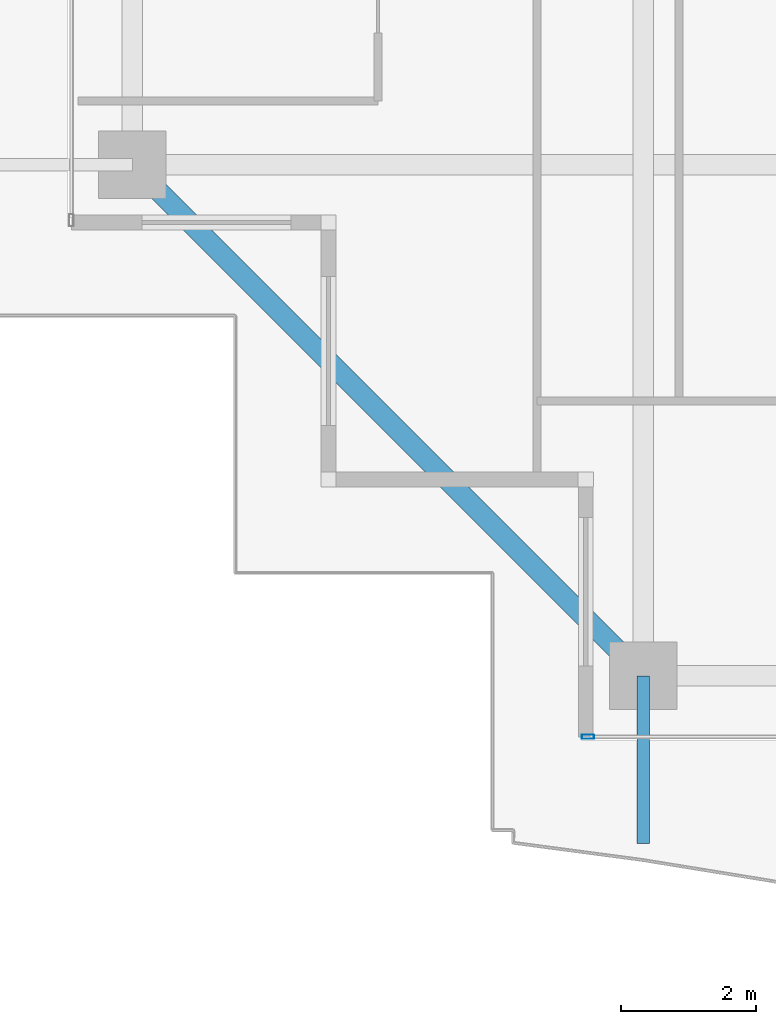
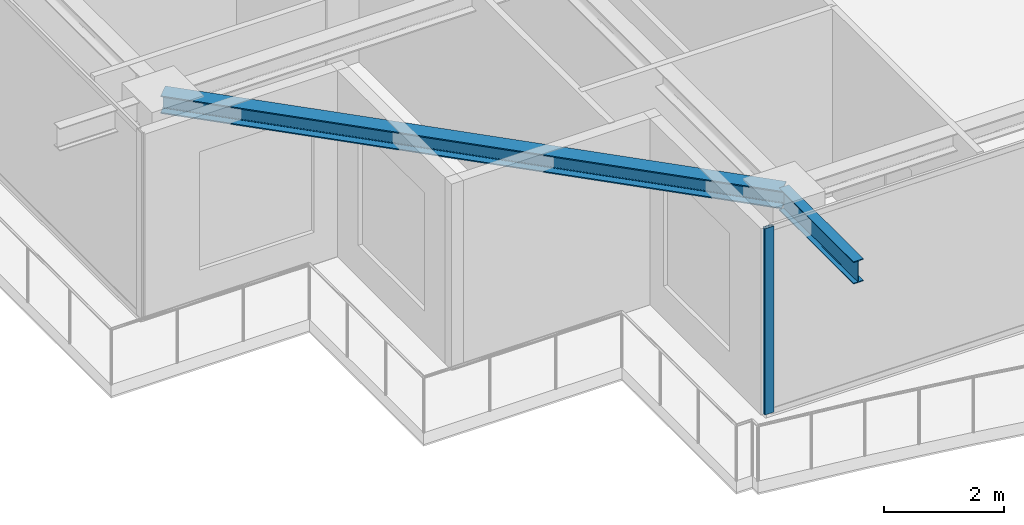
# One storey, part 2 of 42: 2 beams, 1 member, 1 element without a shape of its own.
"""IFC4 building model written with IfcOpenShell, lengths in metres."""

from ifc_helpers import new_model, si_unit, direction, frame, origin, origin_2d, place, context, subcontext, project, spatial, hollow_rectangle, i_section, extrude, source, transform, mapped, material, layer, layer_set, material_profile, profile_set, type_object, element, aggregate, save


model = new_model("IFC4")

# Units and contexts
model_context = context("Model", 3, precision=1e-05, world=origin(), true_north=direction((0.0, 1.0)))
body_context = subcontext(model_context, "Body", "Model", "MODEL_VIEW")
ifc_project = project(units=[si_unit("LENGTHUNIT", "METRE"), si_unit("AREAUNIT", "SQUARE_METRE"), si_unit("VOLUMEUNIT", "CUBIC_METRE"), si_unit("PLANEANGLEUNIT", "RADIAN"), si_unit("MASSUNIT", "GRAM", prefix="KILO")], contexts=[model_context])

# Site, building, storey
site_placement = place(None, origin())
site = spatial("IfcSite", under=ifc_project, at=site_placement, CompositionType="ELEMENT")
building_placement = place(site_placement, origin())
building = spatial("IfcBuilding", under=site, at=building_placement, Name="Serunith Strait Residences", CompositionType="ELEMENT")
storey_placement = place(building_placement, frame((0.0, 0.0, 297.5)))
storey = spatial("IfcBuildingStorey", under=building, at=storey_placement, Name="L74", CompositionType="ELEMENT", Elevation=297.5)

# Beams
ifc_material_1 = material(Name="Steel S355J2", Category="steel")
ifc_material_profile_1 = material_profile(ifc_material_1, i_section(OverallWidth=0.300048828125, OverallDepth=0.360107421875, WebThickness=0.012451171875, FlangeThickness=0.0224609375, FilletRadius=0.027099609375, at=origin_2d()), Name="HEB 360")
ifc_profile_set_1 = profile_set([ifc_material_profile_1], Name="Steel S355J2")
beam_type_1 = type_object("IfcBeamType", Name="BM-HEB360", PredefinedType="BEAM", material=ifc_profile_set_1)
shared_shape_1 = source(origin(), body_context, "Body", "SweptSolid", [
    extrude(i_section(OverallWidth=0.300048828125, OverallDepth=0.360107421875, WebThickness=0.012451171875, FlangeThickness=0.0224609375, FilletRadius=0.027099609375, at=origin_2d()), origin(), (0.0, 0.0, 1.0), 10.67724609375),
])
beam_1_placement = place(storey_placement, frame((10.10009765625, 10.85009765625, 3.576904296875), z_axis=(0.707095348302, -0.707118213887, 0.0), x_axis=(0.707118213887, 0.707095348302, 0.0)))
element("IfcBeam", 1, at=beam_1_placement, inside=storey, type_object=beam_type_1, Name="L74 Perimeter Ring Beam 16", PredefinedType="BEAM", context=body_context, shape_type="MappedRepresentation", body=[
    mapped(shared_shape_1, transform((0.0, 0.0, 0.0), scale=1.0)),
])
ifc_material_profile_2 = material_profile(ifc_material_1, i_section(OverallWidth=0.18994140625, OverallDepth=0.449951171875, WebThickness=0.009521484375, FlangeThickness=0.0146484375, FilletRadius=0.02099609375, at=origin_2d()), Name="IPE 450")
ifc_profile_set_2 = profile_set([ifc_material_profile_2], Name="Steel S355J2")
beam_type_2 = type_object("IfcBeamType", Name="BM-IPE450", PredefinedType="JOIST", material=ifc_profile_set_2)
shared_shape_2 = source(origin(), body_context, "Body", "SweptSolid", [
    extrude(i_section(OverallWidth=0.18994140625, OverallDepth=0.449951171875, WebThickness=0.009521484375, FlangeThickness=0.0146484375, FilletRadius=0.02099609375, at=origin_2d()), origin(), (0.0, 0.0, 1.0), 2.474609375),
])
beam_2_placement = place(storey_placement, frame((17.64990234375, 3.300048828125, 3.531982421875), z_axis=(0.0, -1.0, 0.0), x_axis=(1.0, 0.0, 0.0)))
element("IfcBeam", 2, at=beam_2_placement, inside=storey, type_object=beam_type_2, Name="L75 Cantilevered Balcony Rib TC-S1", PredefinedType="JOIST", context=body_context, shape_type="MappedRepresentation", body=[
    mapped(shared_shape_2, transform((0.0, 0.0, 0.0), scale=1.0)),
])

# Curtain wall, member
ifc_material_2 = material(Name="Brushed Stainless-Silver Aluminium", Category="aluminium")
ifc_layer = layer(ifc_material_2, 0.199951171875, Name="Brushed Stainless-Silver Aluminium")
ifc_layer_set = layer_set([ifc_layer], Name="Brushed Stainless-Silver Aluminium")
curtain_wall_type = type_object("IfcCurtainWallType", Name="CW-SYS5", PredefinedType="NOTDEFINED", material=ifc_layer_set)
curtain_wall_placement = place(storey_placement, origin())
curtain_wall = element("IfcCurtainWall", 3, at=curtain_wall_placement, inside=storey, type_object=curtain_wall_type, Name="L74 S Unitised Fritted Curtain Wall", PredefinedType="NOTDEFINED")
ifc_material_profile_3 = material_profile(ifc_material_2, hollow_rectangle(XDim=0.06494140625, YDim=0.179931640625, WallThickness=0.00341796875, InnerFilletRadius=0.00537109375, OuterFilletRadius=0.0087890625, at=origin_2d()), Name="ALU 180x65x3.5")
ifc_profile_set_3 = profile_set([ifc_material_profile_3], Name="Brushed Stainless-Silver Aluminium")
member_type = type_object("IfcMemberType", Name="CW-SYS5-MULL", PredefinedType="MULLION", material=ifc_profile_set_3)
shared_shape_3 = source(origin(), body_context, "Body", "SweptSolid", [
    extrude(hollow_rectangle(XDim=0.06494140625, YDim=0.179931640625, WallThickness=0.00341796875, InnerFilletRadius=0.00537109375, OuterFilletRadius=0.0087890625, at=origin_2d()), origin(), (0.0, 0.0, 1.0), 3.77490234375),
])
member_placement = place(storey_placement, frame((16.83251953125, 2.39990234375, 0.0), z_axis=(0.0, 0.0, 1.0), x_axis=(0.0, 1.0, 0.0)))
member = element("IfcMember", 4, at=member_placement, type_object=member_type, Name="CW-5 mullion 1", PredefinedType="MULLION", context=body_context, shape_type="MappedRepresentation", body=[
    mapped(shared_shape_3, transform((0.0, 0.0, 0.0), scale=1.0)),
])
aggregate(curtain_wall, [member])

save(model, "model.ifc")
